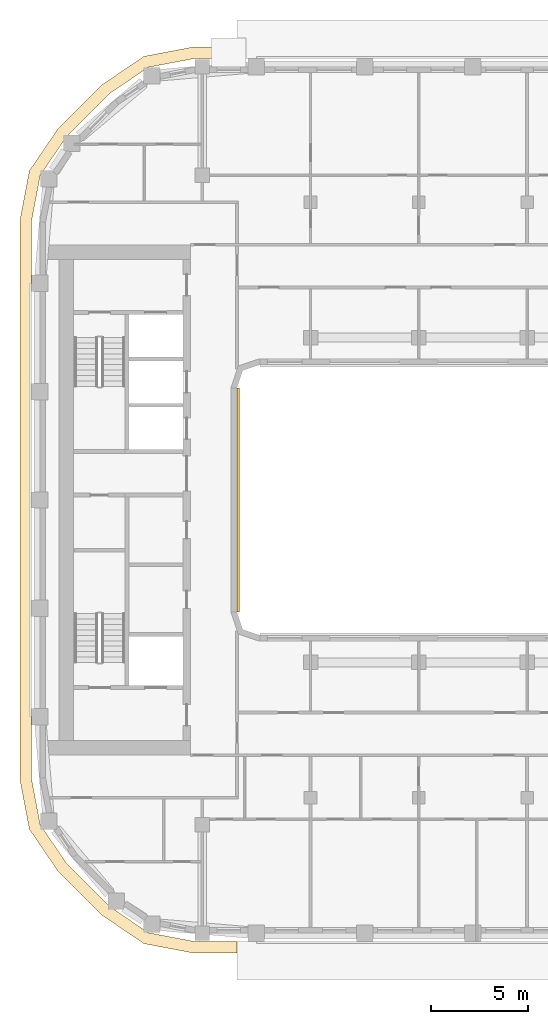
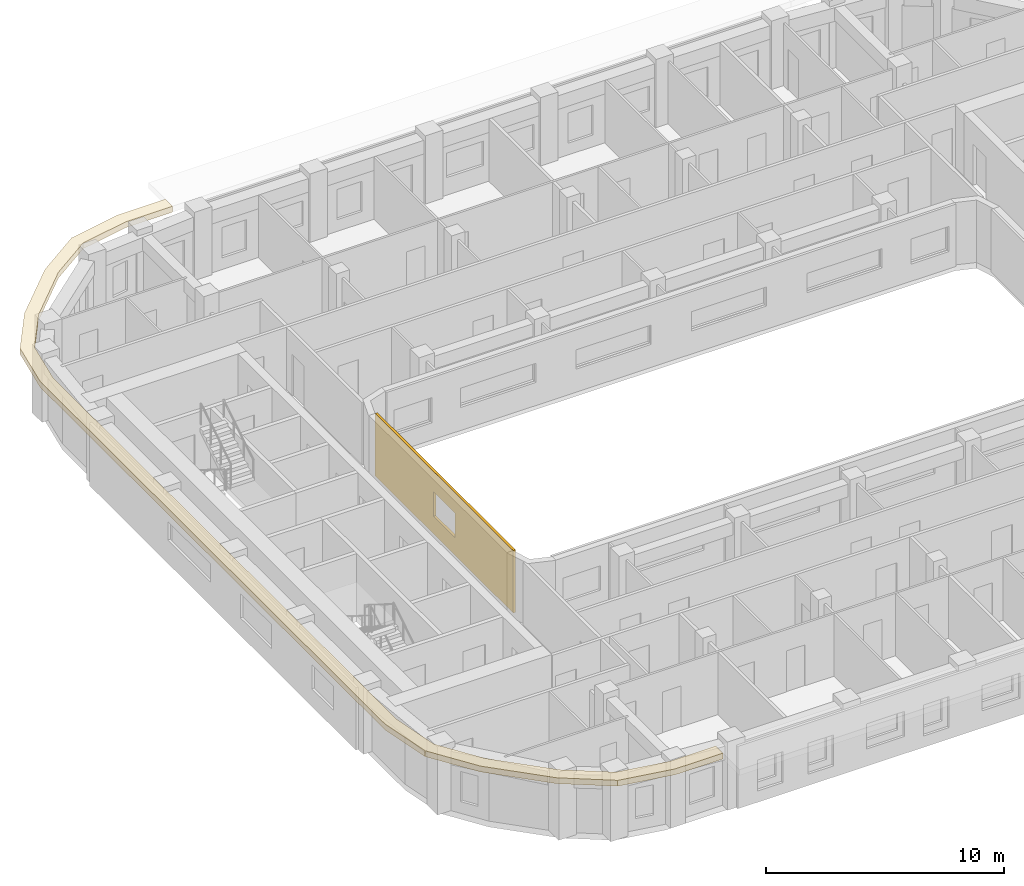
# One storey, part 13 of 21: 2 coverings.
"""IFC4 building model written with IfcOpenShell, lengths in metres."""

from ifc_helpers import new_model, si_unit, direction, frame, origin, place, context, subcontext, project, spatial, polyline, outline, extrude, material, layer, layer_set, type_object, element, save


model = new_model("IFC4")

# Units and contexts
model_context = context("Model", 3, precision=1e-05, world=origin(), true_north=direction((0.0, 1.0)))
body_context = subcontext(model_context, "Body", "Model", "MODEL_VIEW")
ifc_project = project(units=[si_unit("LENGTHUNIT", "METRE"), si_unit("AREAUNIT", "SQUARE_METRE"), si_unit("VOLUMEUNIT", "CUBIC_METRE"), si_unit("PLANEANGLEUNIT", "RADIAN"), si_unit("MASSUNIT", "GRAM", prefix="KILO")], contexts=[model_context])

# Site, building, storey
site_placement = place(None, origin())
site = spatial("IfcSite", under=ifc_project, at=site_placement, CompositionType="ELEMENT")
building_placement = place(site_placement, origin())
building = spatial("IfcBuilding", under=site, at=building_placement, Name="Kiln Ring Residences", CompositionType="ELEMENT")
storey_placement = place(building_placement, frame((0.0, 0.0, 220.39990234375)))
storey = spatial("IfcBuildingStorey", under=building, at=storey_placement, Name="L57", CompositionType="ELEMENT", Elevation=220.39990234375)

# Coverings
ifc_material_1 = material(Name="Brick masonry, dark clay brick", Category="masonry")
ifc_layer_1 = layer(ifc_material_1, 0.1201171875)
ifc_layer_set_1 = layer_set([ifc_layer_1], Name="RAINSCREEN PANEL 120")
covering_type_1 = type_object("IfcCoveringType", Name="RAINSCREEN PANEL 120", PredefinedType="CLADDING", material=ifc_layer_set_1)
covering_1_placement = place(storey_placement, frame((-14.93994140625, -5.800048828125, 0.0), z_axis=(0.0, 0.0, 1.0), x_axis=(0.0, 1.0, 0.0)))
element("IfcCovering", 1, at=covering_1_placement, inside=storey, type_object=covering_type_1, Name="RAINSCREEN L57", PredefinedType="CLADDING", context=body_context, shape_type="SweptSolid", body=[
    extrude(outline(polyline([(0.0, 0.0), (11.60009765625, 0.0), (11.60009765625, 3.2001953125), (0.0, 3.2001953125), (0.0, 0.0)]), holes=[polyline([(4.89990234375, 2.150146484375), (4.89990234375, 0.900146484375), (6.699951171875, 0.900146484375), (6.699951171875, 2.150146484375), (4.89990234375, 2.150146484375)])]), frame((0.0, 0.06005859375, 0.0), z_axis=(0.0, -1.0, 0.0), x_axis=(1.0, 0.0, 0.0)), (0.0, 0.0, 1.0), 0.1201171875),
])
ifc_material_2 = material(Name="Black powder-coated steel", Category="steel")
ifc_layer_2 = layer(ifc_material_2, 0.300048828125)
ifc_layer_set_2 = layer_set([ifc_layer_2], Name="SUNSHADE FIN 600")
covering_type_2 = type_object("IfcCoveringType", Name="SUNSHADE FIN 600", PredefinedType="CLADDING", material=ifc_layer_set_2)
covering_2_placement = place(storey_placement, frame((0.0, 0.0, 3.2001953125)))
element("IfcCovering", 2, at=covering_2_placement, inside=storey, type_object=covering_type_2, Name="SUNSHADE FIN L57", PredefinedType="CLADDING", context=body_context, shape_type="SweptSolid", body=[
    extrude(outline(polyline([(-26.22509765625, -14.496826171875), (-25.742919921875, -17.02490234375), (-24.296142578125, -19.1533203125), (-21.953369140625, -21.49609375), (-19.82470703125, -22.94287109375), (-17.296875, -23.425048828125), (-15.0, -23.425048828125), (-15.0, -22.824951171875), (-17.240234375, -22.824951171875), (-19.59033203125, -22.376708984375), (-21.569091796875, -21.031982421875), (-23.831787109375, -18.769287109375), (-25.1767578125, -16.790283203125), (-25.625, -14.440185546875), (-25.625, 14.440185546875), (-25.1767578125, 16.790283203125), (-23.831787109375, 18.769287109375), (-21.569091796875, 21.031982421875), (-19.59033203125, 22.376708984375), (-17.240234375, 22.824951171875), (-15.0, 22.824951171875), (-15.0, 23.425048828125), (-17.296875, 23.425048828125), (-19.82470703125, 22.94287109375), (-21.953369140625, 21.49609375), (-24.296142578125, 19.1533203125), (-25.742919921875, 17.02490234375), (-26.22509765625, 14.496826171875), (-26.22509765625, -14.496826171875)])), origin(), (0.0, 0.0, 1.0), 0.2998046875),
])

save(model, "model.ifc")
